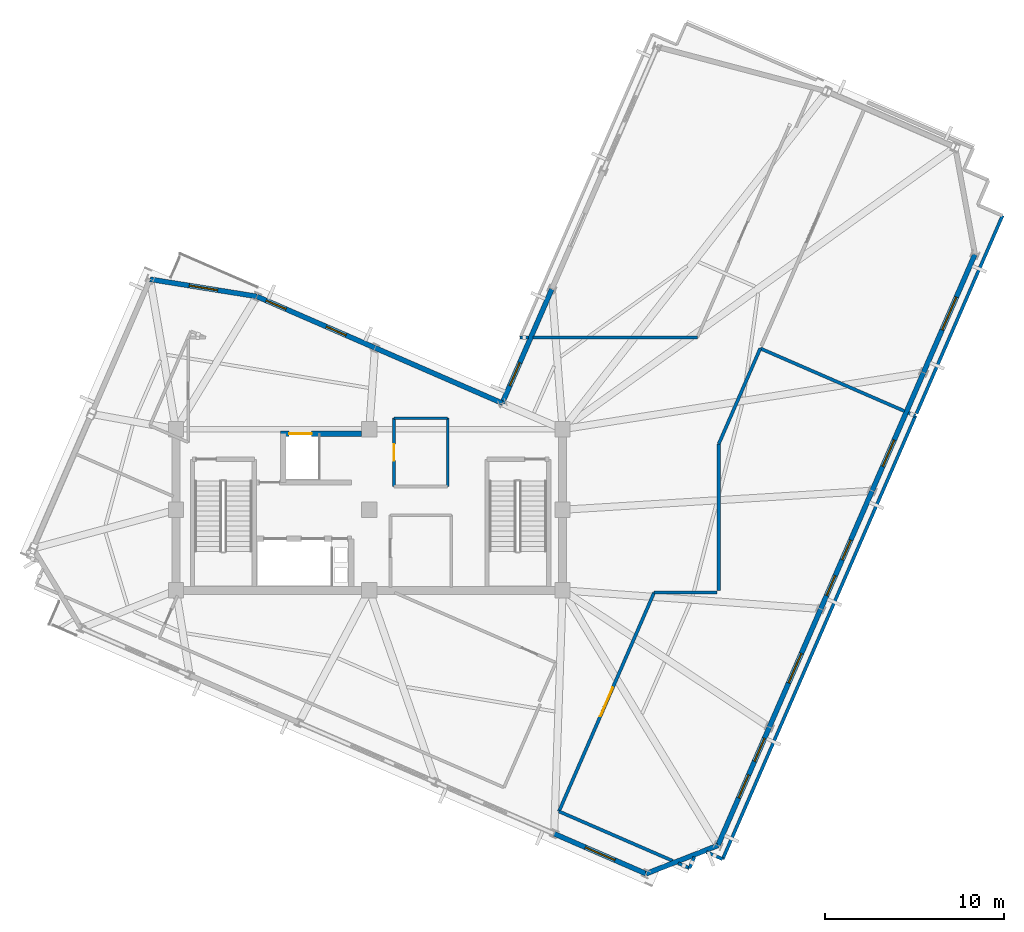
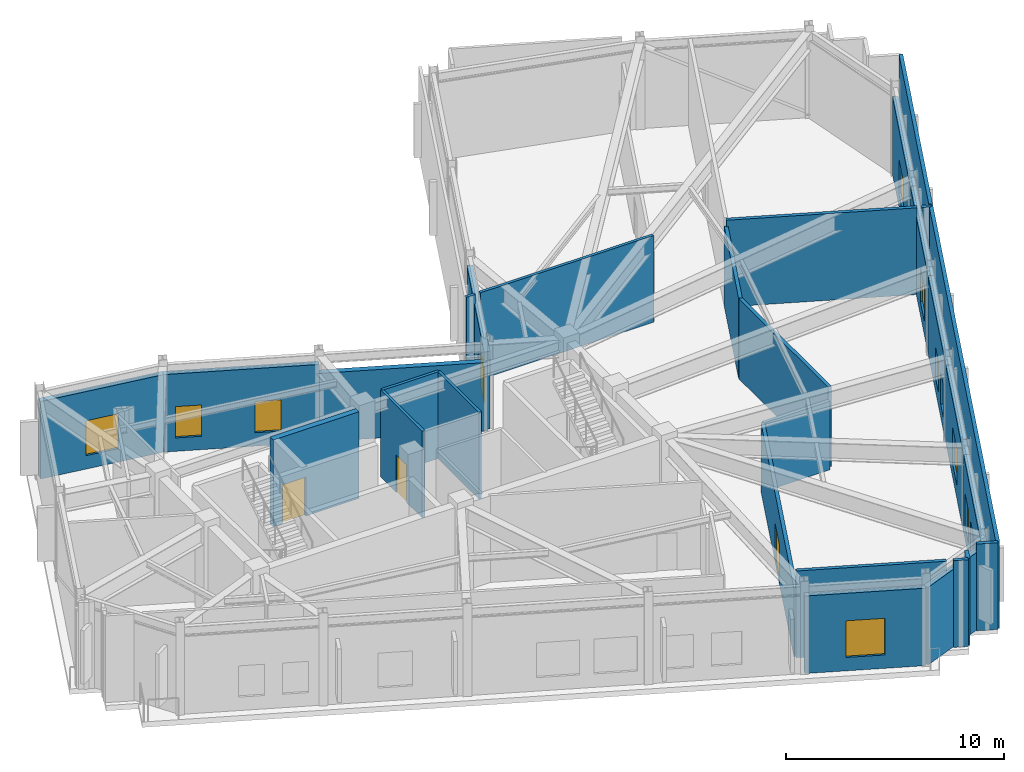
# One storey, part 7 of 12: 29 walls, 12 windows, 3 doors, 15 openings.
"""IFC4 building model written with IfcOpenShell, lengths in metres."""

from ifc_helpers import new_model, si_unit, direction, frame, frame_2d, origin, place, context, subcontext, project, spatial, rectangle, extrude, material, layer, layer_set, type_object, element, fill, save


model = new_model("IFC4")

# Units and contexts
model_context = context("Model", 3, precision=1e-05, world=origin(), true_north=direction((0.0, 1.0)))
body_context = subcontext(model_context, "Body", "Model", "MODEL_VIEW")
ifc_project = project(units=[si_unit("LENGTHUNIT", "METRE"), si_unit("AREAUNIT", "SQUARE_METRE"), si_unit("VOLUMEUNIT", "CUBIC_METRE"), si_unit("PLANEANGLEUNIT", "RADIAN"), si_unit("MASSUNIT", "GRAM", prefix="KILO")], contexts=[model_context])

# Site, building, storey
site_placement = place(None, origin())
site = spatial("IfcSite", under=ifc_project, at=site_placement, CompositionType="ELEMENT")
building_placement = place(site_placement, origin())
building = spatial("IfcBuilding", under=site, at=building_placement, Name="Gaonmaruhae Medical Tower", CompositionType="ELEMENT")
storey_placement = place(building_placement, frame((0.0, 0.0, 342.60009765625)))
storey = spatial("IfcBuildingStorey", under=building, at=storey_placement, Name="L82", CompositionType="ELEMENT", Elevation=342.60009765625)

# Wall, openings, windows
ifc_material_1 = material(Name="Precast concrete C45/55", Category="concrete")
ifc_layer_1 = layer(ifc_material_1, 0.280029296875)
ifc_layer_set_1 = layer_set([ifc_layer_1], Name="Precast concrete C45/55")
wall_type_1 = type_object("IfcWallType", Name="EW-280 Upper Precast Masonry-Frame Facade Wall", PredefinedType="SOLIDWALL", material=ifc_layer_set_1)
wall_1_placement = place(storey_placement, frame((47.14599609375, 0.154296875, 0.0), z_axis=(0.0, 0.0, 1.0), x_axis=(-0.398734790782, -0.917066282566, 0.0)))
wall_1 = element("IfcWall", 1, at=wall_1_placement, inside=storey, type_object=wall_type_1, Name="L82 Precast Masonry-Frame Wall S01-S02", PredefinedType="SOLIDWALL", context=body_context, shape_type="SweptSolid", body=[
    extrude(rectangle(XDim=7.199951171875, YDim=0.280029296875, at=frame_2d((3.60009765625, 0.0))), origin(), (0.0, 0.0, 1.0), 4.3349609375),
])
opening_1_placement = place(wall_1_placement, frame((2.89990234375, 0.0, 0.75)))
opening_1 = element("IfcOpeningElement", 2, at=opening_1_placement, cuts=wall_1, Name="Opening WN-03", PredefinedType="OPENING", context=body_context, shape_type="SweptSolid", body=[
    extrude(rectangle(XDim=1.39990234375, YDim=1.85009765625, at=frame_2d((0.699951171875, 0.925048828125))), frame((0.0, 0.14990234375, 0.0), z_axis=(0.0, -1.0, 0.0), x_axis=(1.0, 0.0, 0.0)), (0.0, 0.0, 1.0), 0.300048828125),
])
opening_2_placement = place(wall_1_placement, frame((0.677734375, 0.0, 0.75)))
opening_2 = element("IfcOpeningElement", 3, at=opening_2_placement, cuts=wall_1, Name="Opening WN-03", PredefinedType="OPENING", context=body_context, shape_type="SweptSolid", body=[
    extrude(rectangle(XDim=1.39990234375, YDim=1.85009765625, at=frame_2d((0.699951171875, 0.925048828125))), frame((0.0, 0.14990234375, 0.0), z_axis=(0.0, -1.0, 0.0), x_axis=(1.0, 0.0, 0.0)), (0.0, 0.0, 1.0), 0.300048828125),
])
ifc_material_2 = material(Name="Anodised aluminium and Low-E double glazing", Category="aluminium")
window_type_1 = type_object("IfcWindowType", Name="WN-03 Isolation Ward Punched Window 1400x1850", PartitioningType="SINGLE_PANEL", PredefinedType="WINDOW", material=ifc_material_2)
window_1_placement = place(opening_1_placement, origin())
window_1 = element("IfcWindow", 4, at=window_1_placement, inside=storey, type_object=window_type_1, Name="L82 Modular Facade Window S01", OverallHeight=1.85009765625, OverallWidth=1.39990234375, PartitioningType="SINGLE_PANEL", PredefinedType="WINDOW", context=body_context, shape_type="SweptSolid", body=[
    extrude(rectangle(XDim=1.39990234375, YDim=1.85009765625, at=frame_2d((0.699951171875, 0.925048828125))), frame((0.0, 0.030029296875, 0.0), z_axis=(0.0, -1.0, 0.0), x_axis=(1.0, 0.0, 0.0)), (0.0, 0.0, 1.0), 0.06005859375),
])
fill(opening_1, window_1)
window_2_placement = place(opening_2_placement, origin())
window_2 = element("IfcWindow", 5, at=window_2_placement, inside=storey, type_object=window_type_1, Name="L82 Modular Facade Window S01B", OverallHeight=1.85009765625, OverallWidth=1.39990234375, PartitioningType="SINGLE_PANEL", PredefinedType="WINDOW", context=body_context, shape_type="SweptSolid", body=[
    extrude(rectangle(XDim=1.39990234375, YDim=1.85009765625, at=frame_2d((0.699951171875, 0.925048828125))), frame((0.0, 0.030029296875, 0.0), z_axis=(0.0, -1.0, 0.0), x_axis=(1.0, 0.0, 0.0)), (0.0, 0.0, 1.0), 0.06005859375),
])
fill(opening_2, window_2)

# Wall, opening, window
wall_2_placement = place(storey_placement, frame((50.01708984375, 6.757080078125, 0.0), z_axis=(0.0, 0.0, 1.0), x_axis=(-0.398763307949, -0.91705388295, 0.0)))
wall_2 = element("IfcWall", 6, at=wall_2_placement, inside=storey, type_object=wall_type_1, Name="L82 Precast Masonry-Frame Wall S02-S03", PredefinedType="SOLIDWALL", context=body_context, shape_type="SweptSolid", body=[
    extrude(rectangle(XDim=7.199951171875, YDim=0.280029296875, at=frame_2d((3.60009765625, 0.0))), origin(), (0.0, 0.0, 1.0), 4.3349609375),
])
opening_3_placement = place(wall_2_placement, frame((2.699951171875, 0.0, 0.75)))
opening_3 = element("IfcOpeningElement", 7, at=opening_3_placement, cuts=wall_2, Name="Opening WN-04", PredefinedType="OPENING", context=body_context, shape_type="SweptSolid", body=[
    extrude(rectangle(XDim=1.800048828125, YDim=2.050048828125, at=frame_2d((0.89990234375, 1.02490234375))), frame((0.0, 0.14990234375, 0.0), z_axis=(0.0, -1.0, 0.0), x_axis=(1.0, 0.0, 0.0)), (0.0, 0.0, 1.0), 0.300048828125),
])
window_type_2 = type_object("IfcWindowType", Name="WN-04 Clinic & Consult Punched Window 1800x2050", PartitioningType="SINGLE_PANEL", PredefinedType="WINDOW", material=ifc_material_2)
window_3_placement = place(opening_3_placement, origin())
window_3 = element("IfcWindow", 8, at=window_3_placement, inside=storey, type_object=window_type_2, Name="L82 Modular Facade Window S02", OverallHeight=2.050048828125, OverallWidth=1.800048828125, PartitioningType="SINGLE_PANEL", PredefinedType="WINDOW", context=body_context, shape_type="SweptSolid", body=[
    extrude(rectangle(XDim=1.800048828125, YDim=2.050048828125, at=frame_2d((0.89990234375, 1.02490234375))), frame((0.0, 0.030029296875, 0.0), z_axis=(0.0, -1.0, 0.0), x_axis=(1.0, 0.0, 0.0)), (0.0, 0.0, 1.0), 0.06005859375),
])
fill(opening_3, window_3)

# Wall, openings, windows
wall_3_placement = place(storey_placement, frame((52.88818359375, 13.360107421875, 0.0), z_axis=(0.0, 0.0, 1.0), x_axis=(-0.398750908406, -0.917059274554, 0.0)))
wall_3 = element("IfcWall", 9, at=wall_3_placement, inside=storey, type_object=wall_type_1, Name="L82 Precast Masonry-Frame Wall S03-S04", PredefinedType="SOLIDWALL", context=body_context, shape_type="SweptSolid", body=[
    extrude(rectangle(XDim=7.2001953125, YDim=0.280029296875, at=frame_2d((3.60009765625, 0.0))), origin(), (0.0, 0.0, 1.0), 4.3349609375),
])
opening_4_placement = place(wall_3_placement, frame((3.0, 0.0, 0.75)))
opening_4 = element("IfcOpeningElement", 10, at=opening_4_placement, cuts=wall_3, Name="Opening WN-05", PredefinedType="OPENING", context=body_context, shape_type="SweptSolid", body=[
    extrude(rectangle(XDim=1.199951171875, YDim=1.75, at=frame_2d((0.60009765625, 0.875))), frame((0.0, 0.14990234375, 0.0), z_axis=(0.0, -1.0, 0.0), x_axis=(1.0, 0.0, 0.0)), (0.0, 0.0, 1.0), 0.300048828125),
])
opening_5_placement = place(wall_3_placement, frame((5.17236328125, 0.0, 0.75)))
opening_5 = element("IfcOpeningElement", 11, at=opening_5_placement, cuts=wall_3, Name="Opening WN-05", PredefinedType="OPENING", context=body_context, shape_type="SweptSolid", body=[
    extrude(rectangle(XDim=1.199951171875, YDim=1.75, at=frame_2d((0.60009765625, 0.875))), frame((0.0, 0.14990234375, 0.0), z_axis=(0.0, -1.0, 0.0), x_axis=(1.0, 0.0, 0.0)), (0.0, 0.0, 1.0), 0.300048828125),
])
window_type_3 = type_object("IfcWindowType", Name="WN-05 Support & Staff Punched Window 1200x1750", PartitioningType="SINGLE_PANEL", PredefinedType="WINDOW", material=ifc_material_2)
window_4_placement = place(opening_4_placement, origin())
window_4 = element("IfcWindow", 12, at=window_4_placement, inside=storey, type_object=window_type_3, Name="L82 Modular Facade Window S03", OverallHeight=1.75, OverallWidth=1.199951171875, PartitioningType="SINGLE_PANEL", PredefinedType="WINDOW", context=body_context, shape_type="SweptSolid", body=[
    extrude(rectangle(XDim=1.199951171875, YDim=1.75, at=frame_2d((0.60009765625, 0.875))), frame((0.0, 0.030029296875, 0.0), z_axis=(0.0, -1.0, 0.0), x_axis=(1.0, 0.0, 0.0)), (0.0, 0.0, 1.0), 0.06005859375),
])
fill(opening_4, window_4)
window_5_placement = place(opening_5_placement, origin())
window_5 = element("IfcWindow", 13, at=window_5_placement, inside=storey, type_object=window_type_3, Name="L82 Modular Facade Window S03B", OverallHeight=1.75, OverallWidth=1.199951171875, PartitioningType="SINGLE_PANEL", PredefinedType="WINDOW", context=body_context, shape_type="SweptSolid", body=[
    extrude(rectangle(XDim=1.199951171875, YDim=1.75, at=frame_2d((0.60009765625, 0.875))), frame((0.0, 0.030029296875, 0.0), z_axis=(0.0, -1.0, 0.0), x_axis=(1.0, 0.0, 0.0)), (0.0, 0.0, 1.0), 0.06005859375),
])
fill(opening_5, window_5)

# Wall, opening, window
wall_4_placement = place(storey_placement, frame((55.759033203125, 19.962890625, 0.0), z_axis=(0.0, 0.0, 1.0), x_axis=(-0.398734790782, -0.917066282566, 0.0)))
wall_4 = element("IfcWall", 14, at=wall_4_placement, inside=storey, type_object=wall_type_1, Name="L82 Precast Masonry-Frame Wall S04-S05", PredefinedType="SOLIDWALL", context=body_context, shape_type="SweptSolid", body=[
    extrude(rectangle(XDim=7.199951171875, YDim=0.280029296875, at=frame_2d((3.60009765625, 0.0))), origin(), (0.0, 0.0, 1.0), 4.3349609375),
])
opening_6_placement = place(wall_4_placement, frame((4.1123046875, 0.0, 0.75)))
opening_6 = element("IfcOpeningElement", 15, at=opening_6_placement, cuts=wall_4, Name="Opening WN-01", PredefinedType="OPENING", context=body_context, shape_type="SweptSolid", body=[
    extrude(rectangle(XDim=1.60009765625, YDim=1.949951171875, at=frame_2d((0.800048828125, 0.97509765625))), frame((0.0, 0.14990234375, 0.0), z_axis=(0.0, -1.0, 0.0), x_axis=(1.0, 0.0, 0.0)), (0.0, 0.0, 1.0), 0.300048828125),
])
window_type_4 = type_object("IfcWindowType", Name="WN-01 Ward Punched Acoustic Window 1600x1950", PartitioningType="SINGLE_PANEL", PredefinedType="WINDOW", material=ifc_material_2)
window_6_placement = place(opening_6_placement, origin())
window_6 = element("IfcWindow", 16, at=window_6_placement, inside=storey, type_object=window_type_4, Name="L82 Modular Facade Window S04", OverallHeight=1.949951171875, OverallWidth=1.60009765625, PartitioningType="SINGLE_PANEL", PredefinedType="WINDOW", context=body_context, shape_type="SweptSolid", body=[
    extrude(rectangle(XDim=1.60009765625, YDim=1.949951171875, at=frame_2d((0.800048828125, 0.97509765625))), frame((0.0, 0.030029296875, 0.0), z_axis=(0.0, -1.0, 0.0), x_axis=(1.0, 0.0, 0.0)), (0.0, 0.0, 1.0), 0.06005859375),
])
fill(opening_6, window_6)

wall_5_placement = place(storey_placement, frame((58.630126953125, 26.565673828125, 0.0), z_axis=(0.0, 0.0, 1.0), x_axis=(-0.398763307949, -0.91705388295, 0.0)))
wall_5 = element("IfcWall", 17, at=wall_5_placement, inside=storey, type_object=wall_type_1, Name="L82 Precast Masonry-Frame Wall S05-S06", PredefinedType="SOLIDWALL", context=body_context, shape_type="SweptSolid", body=[
    extrude(rectangle(XDim=7.199951171875, YDim=0.280029296875, at=frame_2d((3.60009765625, 0.0))), origin(), (0.0, 0.0, 1.0), 4.3349609375),
])
opening_7_placement = place(wall_5_placement, frame((2.60009765625, 0.0, 0.75)))
opening_7 = element("IfcOpeningElement", 18, at=opening_7_placement, cuts=wall_5, Name="Opening WN-02", PredefinedType="OPENING", context=body_context, shape_type="SweptSolid", body=[
    extrude(rectangle(XDim=2.0, YDim=1.949951171875, at=frame_2d((1.0, 0.97509765625))), frame((0.0, 0.14990234375, 0.0), z_axis=(0.0, -1.0, 0.0), x_axis=(1.0, 0.0, 0.0)), (0.0, 0.0, 1.0), 0.300048828125),
])
window_type_5 = type_object("IfcWindowType", Name="WN-02 Double-Bed Ward Punched Window 2000x1950", PartitioningType="SINGLE_PANEL", PredefinedType="WINDOW", material=ifc_material_2)
window_7_placement = place(opening_7_placement, origin())
window_7 = element("IfcWindow", 19, at=window_7_placement, inside=storey, type_object=window_type_5, Name="L82 Modular Facade Window S05", OverallHeight=1.949951171875, OverallWidth=2.0, PartitioningType="SINGLE_PANEL", PredefinedType="WINDOW", context=body_context, shape_type="SweptSolid", body=[
    extrude(rectangle(XDim=2.0, YDim=1.949951171875, at=frame_2d((1.0, 0.97509765625))), frame((0.0, 0.030029296875, 0.0), z_axis=(0.0, -1.0, 0.0), x_axis=(1.0, 0.0, 0.0)), (0.0, 0.0, 1.0), 0.06005859375),
])
fill(opening_7, window_7)

wall_6_placement = place(storey_placement, frame((32.226318359375, 18.2548828125, 0.0), z_axis=(0.0, 0.0, 1.0), x_axis=(0.398742809918, 0.917062795853, 0.0)))
wall_6 = element("IfcWall", 20, at=wall_6_placement, inside=storey, type_object=wall_type_1, Name="L82 Precast Masonry-Frame Wall EN02-KN01", PredefinedType="SOLIDWALL", context=body_context, shape_type="SweptSolid", body=[
    extrude(rectangle(XDim=6.949951171875, YDim=0.280029296875, at=frame_2d((3.47509765625, 0.0))), origin(), (0.0, 0.0, 1.0), 4.3349609375),
])
opening_8_placement = place(wall_6_placement, frame((1.06640625, 0.0, 0.75)))
opening_8 = element("IfcOpeningElement", 21, at=opening_8_placement, cuts=wall_6, Name="Opening WN-03", PredefinedType="OPENING", context=body_context, shape_type="SweptSolid", body=[
    extrude(rectangle(XDim=1.39990234375, YDim=1.85009765625, at=frame_2d((0.699951171875, 0.925048828125))), frame((0.0, 0.14990234375, 0.0), z_axis=(0.0, -1.0, 0.0), x_axis=(1.0, 0.0, 0.0)), (0.0, 0.0, 1.0), 0.300048828125),
])
window_8_placement = place(opening_8_placement, origin())
window_8 = element("IfcWindow", 22, at=window_8_placement, inside=storey, type_object=window_type_1, Name="L82 Modular Facade Window EN02", OverallHeight=1.85009765625, OverallWidth=1.39990234375, PartitioningType="SINGLE_PANEL", PredefinedType="WINDOW", context=body_context, shape_type="SweptSolid", body=[
    extrude(rectangle(XDim=1.39990234375, YDim=1.85009765625, at=frame_2d((0.699951171875, 0.925048828125))), frame((0.0, 0.030029296875, 0.0), z_axis=(0.0, -1.0, 0.0), x_axis=(1.0, 0.0, 0.0)), (0.0, 0.0, 1.0), 0.06005859375),
])
fill(opening_8, window_8)

# Wall
wall_7_placement = place(storey_placement, frame((25.118896484375, 21.34521484375, 0.0), z_axis=(0.0, 0.0, 1.0), x_axis=(0.917063044715, -0.398742237565, 0.0)))
element("IfcWall", 23, at=wall_7_placement, inside=storey, type_object=wall_type_1, Name="L82 Precast Masonry-Frame Wall KN01-NE01", PredefinedType="SOLIDWALL", context=body_context, shape_type="SweptSolid", body=[
    extrude(rectangle(XDim=7.750244140625, YDim=0.280029296875, at=frame_2d((3.875, 0.0))), origin(), (0.0, 0.0, 1.0), 3.8349609375),
])

# Wall, openings, windows
wall_8_placement = place(storey_placement, frame((18.51611328125, 24.21630859375, 0.0), z_axis=(0.0, 0.0, 1.0), x_axis=(0.91705388295, -0.398763307949, 0.0)))
wall_8 = element("IfcWall", 24, at=wall_8_placement, inside=storey, type_object=wall_type_1, Name="L82 Precast Masonry-Frame Wall NE01-NE02", PredefinedType="SOLIDWALL", context=body_context, shape_type="SweptSolid", body=[
    extrude(rectangle(XDim=7.199951171875, YDim=0.280029296875, at=frame_2d((3.60009765625, 0.0))), origin(), (0.0, 0.0, 1.0), 4.3349609375),
])
opening_9_placement = place(wall_8_placement, frame((4.238037109375, 0.0, 0.75)))
opening_9 = element("IfcOpeningElement", 25, at=opening_9_placement, cuts=wall_8, Name="Opening WN-05", PredefinedType="OPENING", context=body_context, shape_type="SweptSolid", body=[
    extrude(rectangle(XDim=1.199951171875, YDim=1.75, at=frame_2d((0.60009765625, 0.875))), frame((0.0, 0.14990234375, 0.0), z_axis=(0.0, -1.0, 0.0), x_axis=(1.0, 0.0, 0.0)), (0.0, 0.0, 1.0), 0.300048828125),
])
opening_10_placement = place(wall_8_placement, frame((0.57763671875, 0.0, 0.75)))
opening_10 = element("IfcOpeningElement", 26, at=opening_10_placement, cuts=wall_8, Name="Opening WN-05", PredefinedType="OPENING", context=body_context, shape_type="SweptSolid", body=[
    extrude(rectangle(XDim=1.199951171875, YDim=1.75, at=frame_2d((0.60009765625, 0.875))), frame((0.0, 0.14990234375, 0.0), z_axis=(0.0, -1.0, 0.0), x_axis=(1.0, 0.0, 0.0)), (0.0, 0.0, 1.0), 0.300048828125),
])
window_9_placement = place(opening_9_placement, origin())
window_9 = element("IfcWindow", 27, at=window_9_placement, inside=storey, type_object=window_type_3, Name="L82 Modular Facade Window NE01", OverallHeight=1.75, OverallWidth=1.199951171875, PartitioningType="SINGLE_PANEL", PredefinedType="WINDOW", context=body_context, shape_type="SweptSolid", body=[
    extrude(rectangle(XDim=1.199951171875, YDim=1.75, at=frame_2d((0.60009765625, 0.875))), frame((0.0, 0.030029296875, 0.0), z_axis=(0.0, -1.0, 0.0), x_axis=(1.0, 0.0, 0.0)), (0.0, 0.0, 1.0), 0.06005859375),
])
fill(opening_9, window_9)
window_10_placement = place(opening_10_placement, origin())
window_10 = element("IfcWindow", 28, at=window_10_placement, inside=storey, type_object=window_type_3, Name="L82 Modular Facade Window NE01B", OverallHeight=1.75, OverallWidth=1.199951171875, PartitioningType="SINGLE_PANEL", PredefinedType="WINDOW", context=body_context, shape_type="SweptSolid", body=[
    extrude(rectangle(XDim=1.199951171875, YDim=1.75, at=frame_2d((0.60009765625, 0.875))), frame((0.0, 0.030029296875, 0.0), z_axis=(0.0, -1.0, 0.0), x_axis=(1.0, 0.0, 0.0)), (0.0, 0.0, 1.0), 0.06005859375),
])
fill(opening_10, window_10)

# Wall, opening, window
wall_9_placement = place(storey_placement, frame((12.55322265625, 25.17333984375, 0.0), z_axis=(0.0, 0.0, 1.0), x_axis=(0.987363826076, -0.158469791935, 0.0)))
wall_9 = element("IfcWall", 29, at=wall_9_placement, inside=storey, type_object=wall_type_1, Name="L82 Precast Masonry-Frame Wall NE02-N01", PredefinedType="SOLIDWALL", context=body_context, shape_type="SweptSolid", body=[
    extrude(rectangle(XDim=6.039306640625, YDim=0.280029296875, at=frame_2d((3.01953125, 0.0))), origin(), (0.0, 0.0, 1.0), 4.3349609375),
])
opening_11_placement = place(wall_9_placement, frame((2.219482421875, 0.0, 0.75)))
opening_11 = element("IfcOpeningElement", 30, at=opening_11_placement, cuts=wall_9, Name="Opening WN-01", PredefinedType="OPENING", context=body_context, shape_type="SweptSolid", body=[
    extrude(rectangle(XDim=1.60009765625, YDim=1.949951171875, at=frame_2d((0.800048828125, 0.97509765625))), frame((0.0, 0.14990234375, 0.0), z_axis=(0.0, -1.0, 0.0), x_axis=(1.0, 0.0, 0.0)), (0.0, 0.0, 1.0), 0.300048828125),
])
window_11_placement = place(opening_11_placement, origin())
window_11 = element("IfcWindow", 31, at=window_11_placement, inside=storey, type_object=window_type_4, Name="L82 Modular Facade Window NE02", OverallHeight=1.949951171875, OverallWidth=1.60009765625, PartitioningType="SINGLE_PANEL", PredefinedType="WINDOW", context=body_context, shape_type="SweptSolid", body=[
    extrude(rectangle(XDim=1.60009765625, YDim=1.949951171875, at=frame_2d((0.800048828125, 0.97509765625))), frame((0.0, 0.030029296875, 0.0), z_axis=(0.0, -1.0, 0.0), x_axis=(1.0, 0.0, 0.0)), (0.0, 0.0, 1.0), 0.06005859375),
])
fill(opening_11, window_11)

wall_10_placement = place(storey_placement, frame((40.261962890625, -8.029296875, 0.0), z_axis=(0.0, 0.0, 1.0), x_axis=(-0.917064511226, 0.398738864734, 0.0)))
wall_10 = element("IfcWall", 32, at=wall_10_placement, inside=storey, type_object=wall_type_1, Name="L82 Precast Masonry-Frame Wall W05-W06", PredefinedType="SOLIDWALL", context=body_context, shape_type="SweptSolid", body=[
    extrude(rectangle(XDim=5.599853515625, YDim=0.280029296875, at=frame_2d((2.7998046875, 0.0))), origin(), (0.0, 0.0, 1.0), 4.3349609375),
])
opening_12_placement = place(wall_10_placement, frame((1.89990234375, 0.0, 0.75)))
opening_12 = element("IfcOpeningElement", 33, at=opening_12_placement, cuts=wall_10, Name="Opening WN-04", PredefinedType="OPENING", context=body_context, shape_type="SweptSolid", body=[
    extrude(rectangle(XDim=1.800048828125, YDim=2.050048828125, at=frame_2d((0.89990234375, 1.02490234375))), frame((0.0, 0.14990234375, 0.0), z_axis=(0.0, -1.0, 0.0), x_axis=(1.0, 0.0, 0.0)), (0.0, 0.0, 1.0), 0.300048828125),
])
window_12_placement = place(opening_12_placement, origin())
window_12 = element("IfcWindow", 34, at=window_12_placement, inside=storey, type_object=window_type_2, Name="L82 Modular Facade Window W05", OverallHeight=2.050048828125, OverallWidth=1.800048828125, PartitioningType="SINGLE_PANEL", PredefinedType="WINDOW", context=body_context, shape_type="SweptSolid", body=[
    extrude(rectangle(XDim=1.800048828125, YDim=2.050048828125, at=frame_2d((0.89990234375, 1.02490234375))), frame((0.0, 0.030029296875, 0.0), z_axis=(0.0, -1.0, 0.0), x_axis=(1.0, 0.0, 0.0)), (0.0, 0.0, 1.0), 0.06005859375),
])
fill(opening_12, window_12)

# Wall
wall_11_placement = place(storey_placement, frame((44.275146484375, -6.448486328125, 0.0), z_axis=(0.0, 0.0, 1.0), x_axis=(-0.930419505769, -0.366496307328, 0.0)))
element("IfcWall", 35, at=wall_11_placement, inside=storey, type_object=wall_type_1, Name="L82 Precast Masonry-Frame Wall W06-S01", PredefinedType="SOLIDWALL", context=body_context, shape_type="SweptSolid", body=[
    extrude(rectangle(XDim=4.313232421875, YDim=0.280029296875, at=frame_2d((2.15673828125, 0.0))), origin(), (0.0, 0.0, 1.0), 4.3349609375),
])

# Wall, opening, door
ifc_material_3 = material(Name="Gypsum board partition", Category="gypsum")
ifc_layer_2 = layer(ifc_material_3, 0.14990234375)
ifc_layer_set_2 = layer_set([ifc_layer_2], Name="Gypsum board partition")
wall_type_2 = type_object("IfcWallType", Name="PW-150 Rated Clinical Corridor Partition", PredefinedType="PARTITIONING", material=ifc_layer_set_2)
wall_12_placement = place(storey_placement, frame((26.179931640625, 13.60009765625, 0.0), z_axis=(0.0, 0.0, 1.0), x_axis=(0.0, 1.0, 0.0)))
wall_12 = element("IfcWall", 36, at=wall_12_placement, inside=storey, type_object=wall_type_2, Name="L82 Interior Partition L82-RCL2-4", PredefinedType="PARTITIONING", context=body_context, shape_type="SweptSolid", body=[
    extrude(rectangle(XDim=3.81982421875, YDim=0.14990234375, at=frame_2d((1.909912109375, 0.0))), origin(), (0.0, 0.0, 1.0), 4.849853515625),
])
opening_13_placement = place(wall_12_placement, frame((1.449951171875, 0.0, 0.0)))
opening_13 = element("IfcOpeningElement", 37, at=opening_13_placement, cuts=wall_12, Name="Opening UD-01", PredefinedType="OPENING", context=body_context, shape_type="SweptSolid", body=[
    extrude(rectangle(XDim=0.919921875, YDim=2.10009765625, at=frame_2d((0.4599609375, 1.050048828125))), frame((0.0, 0.0849609375, 0.0), z_axis=(0.0, -1.0, 0.0), x_axis=(1.0, 0.0, 0.0)), (0.0, 0.0, 1.0), 0.169921875),
])
ifc_material_4 = material(Name="Powder-coated steel utility door", Category="steel")
door_type_1 = type_object("IfcDoorType", Name="UD-01 Toilet, Utility & Housekeeping Door 920x2100", OperationType="NOTDEFINED", PredefinedType="DOOR", material=ifc_material_4)
door_1_placement = place(opening_13_placement, origin())
door_1 = element("IfcDoor", 38, at=door_1_placement, inside=storey, type_object=door_type_1, Name="L82 Accessible Staff Toilet Door", OperationType="SINGLE_SWING_LEFT", OverallHeight=2.10009765625, OverallWidth=0.919921875, PredefinedType="DOOR", context=body_context, shape_type="SweptSolid", body=[
    extrude(rectangle(XDim=0.919921875, YDim=2.10009765625, at=frame_2d((0.4599609375, 1.050048828125))), frame((0.0, 0.02490234375, 0.0), z_axis=(0.0, -1.0, 0.0), x_axis=(1.0, 0.0, 0.0)), (0.0, 0.0, 1.0), 0.050048828125),
])
fill(opening_13, door_1)

# Walls
wall_13_placement = place(storey_placement, frame((26.179931640625, 17.419921875, 0.0), z_axis=(0.0, 0.0, 1.0), x_axis=(1.0, 0.0, 0.0)))
element("IfcWall", 39, at=wall_13_placement, inside=storey, type_object=wall_type_2, Name="L82 Interior Partition L82-RCL2-5", PredefinedType="PARTITIONING", context=body_context, shape_type="SweptSolid", body=[
    extrude(rectangle(XDim=3.0, YDim=0.14990234375, at=frame_2d((1.5, 0.0))), origin(), (0.0, 0.0, 1.0), 4.849853515625),
])
wall_14_placement = place(storey_placement, frame((29.179931640625, 17.419921875, 0.0), z_axis=(0.0, 0.0, 1.0), x_axis=(0.0, -1.0, 0.0)))
element("IfcWall", 40, at=wall_14_placement, inside=storey, type_object=wall_type_2, Name="L82 Interior Partition L82-RCL2-6", PredefinedType="PARTITIONING", context=body_context, shape_type="SweptSolid", body=[
    extrude(rectangle(XDim=3.81982421875, YDim=0.14990234375, at=frame_2d((1.909912109375, 0.0))), origin(), (0.0, 0.0, 1.0), 4.849853515625),
])
wall_15_placement = place(storey_placement, frame((43.12109375, 21.919921875, 0.0), z_axis=(0.0, 0.0, 1.0), x_axis=(-1.0, 0.0, 0.0)))
element("IfcWall", 41, at=wall_15_placement, inside=storey, type_object=wall_type_2, Name="L82 Interior Partition L82-WAIT-27", PredefinedType="PARTITIONING", context=body_context, shape_type="SweptSolid", body=[
    extrude(rectangle(XDim=9.176025390625, YDim=0.14990234375, at=frame_2d((4.587890625, 0.0))), origin(), (0.0, 0.0, 1.0), 4.849853515625),
])
wall_16_placement = place(storey_placement, frame((33.694091796875, 21.919921875, 0.0), z_axis=(0.0, 0.0, 1.0), x_axis=(-1.0, 0.0, 0.0)))
element("IfcWall", 42, at=wall_16_placement, inside=storey, type_object=wall_type_2, Name="L82 Interior Partition L82-WAIT-28", PredefinedType="PARTITIONING", context=body_context, shape_type="SweptSolid", body=[
    extrude(rectangle(XDim=0.47412109375, YDim=0.14990234375, at=frame_2d((0.237060546875, 0.0))), origin(), (0.0, 0.0, 1.0), 4.849853515625),
])
ifc_layer_3 = layer(ifc_material_3, 0.179931640625)
ifc_layer_set_3 = layer_set([ifc_layer_3], Name="Gypsum board partition")
wall_type_3 = type_object("IfcWallType", Name="PW-180 Refuge & Plant Acoustic Fire Partition", PredefinedType="PARTITIONING", material=ifc_layer_set_3)
wall_17_placement = place(storey_placement, frame((44.320068359375, 7.800048828125, 0.0), z_axis=(0.0, 0.0, 1.0), x_axis=(0.0, 1.0, 0.0)))
element("IfcWall", 43, at=wall_17_placement, inside=storey, type_object=wall_type_3, Name="L82 Interior Partition L82-LMR-8", PredefinedType="PARTITIONING", context=body_context, shape_type="SweptSolid", body=[
    extrude(rectangle(XDim=8.175048828125, YDim=0.179931640625, at=frame_2d((4.08740234375, 0.0))), origin(), (0.0, 0.0, 1.0), 4.48486328125),
])
wall_18_placement = place(storey_placement, frame((44.320068359375, 15.97509765625, 0.0), z_axis=(0.0, 0.0, 1.0), x_axis=(0.398704630949, 0.917079395287, 0.0)))
element("IfcWall", 44, at=wall_18_placement, inside=storey, type_object=wall_type_3, Name="L82 Interior Partition L82-LMR-9", PredefinedType="PARTITIONING", context=body_context, shape_type="SweptSolid", body=[
    extrude(rectangle(XDim=5.818359375, YDim=0.179931640625, at=frame_2d((2.9091796875, 0.0))), origin(), (0.0, 0.0, 1.0), 4.48486328125),
])
wall_19_placement = place(storey_placement, frame((46.639892578125, 21.31103515625, 0.0), z_axis=(0.0, 0.0, 1.0), x_axis=(0.917077124734, -0.398709853514, 0.0)))
element("IfcWall", 45, at=wall_19_placement, inside=storey, type_object=wall_type_3, Name="L82 Interior Partition L82-LMR-10", PredefinedType="PARTITIONING", context=body_context, shape_type="SweptSolid", body=[
    extrude(rectangle(XDim=8.78564453125, YDim=0.179931640625, at=frame_2d((4.392822265625, 0.0))), origin(), (0.0, 0.0, 1.0), 4.849853515625),
])
wall_20_placement = place(storey_placement, frame((54.907958984375, 17.716064453125, 0.0), z_axis=(0.0, 0.0, 1.0), x_axis=(0.917007436542, -0.398870105833, 0.0)))
element("IfcWall", 46, at=wall_20_placement, inside=storey, type_object=wall_type_3, Name="L82 Interior Partition L82-LMR-11", PredefinedType="PARTITIONING", context=body_context, shape_type="SweptSolid", body=[
    extrude(rectangle(XDim=0.43408203125, YDim=0.179931640625, at=frame_2d((0.217041015625, 0.0))), origin(), (0.0, 0.0, 1.0), 4.849853515625),
])
wall_21_placement = place(storey_placement, frame((55.305908203125, 17.54296875, 0.0), z_axis=(0.0, 0.0, 1.0), x_axis=(-0.398733054763, -0.917067037375, 0.0)))
element("IfcWall", 47, at=wall_21_placement, inside=storey, type_object=wall_type_3, Name="L82 Interior Partition L82-LMR-12", PredefinedType="PARTITIONING", context=body_context, shape_type="SweptSolid", body=[
    extrude(rectangle(XDim=27.000244140625, YDim=0.179931640625, at=frame_2d((13.5, 0.0))), origin(), (0.0, 0.0, 1.0), 4.849853515625),
])
wall_22_placement = place(storey_placement, frame((44.5400390625, -7.218017578125, 0.0), z_axis=(0.0, 0.0, 1.0), x_axis=(-0.916865462782, 0.399196346623, 0.0)))
element("IfcWall", 48, at=wall_22_placement, inside=storey, type_object=wall_type_3, Name="L82 Interior Partition L82-LMR-13", PredefinedType="PARTITIONING", context=body_context, shape_type="SweptSolid", body=[
    extrude(rectangle(XDim=0.987060546875, YDim=0.179931640625, at=frame_2d((0.49365234375, 0.0))), origin(), (0.0, 0.0, 1.0), 4.849853515625),
])
wall_23_placement = place(storey_placement, frame((42.9599609375, -7.090087890625, 0.0), z_axis=(0.0, 0.0, 1.0), x_axis=(-0.39880409212, -0.917036147656, 0.0)))
element("IfcWall", 49, at=wall_23_placement, inside=storey, type_object=wall_type_3, Name="L82 Interior Partition L82-LMR-14", PredefinedType="PARTITIONING", context=body_context, shape_type="SweptSolid", body=[
    extrude(rectangle(XDim=0.686767578125, YDim=0.179931640625, at=frame_2d((0.34326171875, 0.0))), origin(), (0.0, 0.0, 1.0), 4.849853515625),
])
wall_24_placement = place(storey_placement, frame((42.68603515625, -7.719970703125, 0.0), z_axis=(0.0, 0.0, 1.0), x_axis=(-0.917092650936, 0.398674139617, 0.0)))
element("IfcWall", 50, at=wall_24_placement, inside=storey, type_object=wall_type_3, Name="L82 Interior Partition L82-LMR-15", PredefinedType="PARTITIONING", context=body_context, shape_type="SweptSolid", body=[
    extrude(rectangle(XDim=0.68701171875, YDim=0.179931640625, at=frame_2d((0.343505859375, 0.0))), origin(), (0.0, 0.0, 1.0), 4.849853515625),
])
wall_25_placement = place(storey_placement, frame((41.758056640625, -7.31591796875, 0.0), z_axis=(0.0, 0.0, 1.0), x_axis=(-0.917082924279, 0.398696513648, 0.0)))
element("IfcWall", 51, at=wall_25_placement, inside=storey, type_object=wall_type_3, Name="L82 Interior Partition L82-LMR-16", PredefinedType="PARTITIONING", context=body_context, shape_type="SweptSolid", body=[
    extrude(rectangle(XDim=6.937255859375, YDim=0.179931640625, at=frame_2d((3.46875, 0.0))), origin(), (0.0, 0.0, 1.0), 4.849853515625),
])

# Wall, opening, door
wall_26_placement = place(storey_placement, frame((35.39599609375, -4.550048828125, 0.0), z_axis=(0.0, 0.0, 1.0), x_axis=(0.398695317753, 0.917083444187, 0.0)))
wall_26 = element("IfcWall", 52, at=wall_26_placement, inside=storey, type_object=wall_type_3, Name="L82 Interior Partition L82-LMR-17", PredefinedType="PARTITIONING", context=body_context, shape_type="SweptSolid", body=[
    extrude(rectangle(XDim=13.335693359375, YDim=0.179931640625, at=frame_2d((6.66796875, 0.0))), origin(), (0.0, 0.0, 1.0), 3.8349609375),
])
opening_14_placement = place(wall_26_placement, frame((5.79296875, 0.0, 0.0)))
opening_14 = element("IfcOpeningElement", 53, at=opening_14_placement, cuts=wall_26, Name="Opening PD-01", PredefinedType="OPENING", context=body_context, shape_type="SweptSolid", body=[
    extrude(rectangle(XDim=1.75, YDim=2.199951171875, at=frame_2d((0.875, 1.10009765625))), frame((0.0, 0.10009765625, 0.0), z_axis=(0.0, -1.0, 0.0), x_axis=(1.0, 0.0, 0.0)), (0.0, 0.0, 1.0), 0.199951171875),
])
ifc_material_5 = material(Name="Acoustic galvanised steel plant door", Category="steel")
door_type_2 = type_object("IfcDoorType", Name="PD-01 Mechanical Plant Double Equipment Door 1750x2200", OperationType="NOTDEFINED", PredefinedType="DOOR", material=ifc_material_5)
door_2_placement = place(opening_14_placement, origin())
door_2 = element("IfcDoor", 54, at=door_2_placement, inside=storey, type_object=door_type_2, Name="L82 High-Rise Traction Lift Machine Room Door", OperationType="DOUBLE_DOOR_SINGLE_SWING", OverallHeight=2.199951171875, OverallWidth=1.75, PredefinedType="DOOR", context=body_context, shape_type="SweptSolid", body=[
    extrude(rectangle(XDim=1.75, YDim=2.199951171875, at=frame_2d((0.875, 1.10009765625))), frame((0.0, 0.02490234375, 0.0), z_axis=(0.0, -1.0, 0.0), x_axis=(1.0, 0.0, 0.0)), (0.0, 0.0, 1.0), 0.050048828125),
])
fill(opening_14, door_2)

# Walls
wall_27_placement = place(storey_placement, frame((40.712890625, 7.679931640625, 0.0), z_axis=(0.0, 0.0, 1.0), x_axis=(0.999999961053, 0.000279095719, 0.0)))
element("IfcWall", 55, at=wall_27_placement, inside=storey, type_object=wall_type_3, Name="L82 Interior Partition L82-LMR-18", PredefinedType="PARTITIONING", context=body_context, shape_type="SweptSolid", body=[
    extrude(rectangle(XDim=3.4990234375, YDim=0.179931640625, at=frame_2d((1.74951171875, 0.0))), origin(), (0.0, 0.0, 1.0), 3.8349609375),
])
wall_28_placement = place(storey_placement, frame((60.1708984375, 28.73095703125, 0.0), z_axis=(0.0, 0.0, 1.0), x_axis=(-0.398735742108, -0.917065868935, 0.0)))
element("IfcWall", 56, at=wall_28_placement, inside=storey, type_object=wall_type_3, Name="L82 Interior Partition L82-FOAM-21", PredefinedType="PARTITIONING", context=body_context, shape_type="SweptSolid", body=[
    extrude(rectangle(XDim=12.050537109375, YDim=0.179931640625, at=frame_2d((6.025390625, 0.0))), origin(), (0.0, 0.0, 1.0), 4.849853515625),
])

# Wall, opening, door
ifc_material_6 = material(Name="Concrete C50/60", Category="concrete")
ifc_layer_4 = layer(ifc_material_6, 0.300048828125)
ifc_layer_set_4 = layer_set([ifc_layer_4], Name="Concrete C50/60")
wall_type_4 = type_object("IfcWallType", Name="SW-300 Stair & Lift Hoistway Shaft Wall", PredefinedType="SOLIDWALL", material=ifc_layer_set_4)
wall_29_placement = place(storey_placement, frame((19.85009765625, 16.550048828125, 0.0), z_axis=(0.0, 0.0, 1.0), x_axis=(1.0, 0.0, 0.0)))
wall_29 = element("IfcWall", 57, at=wall_29_placement, inside=storey, type_object=wall_type_4, Name="L82 Core Shear Wall CSW-NB", PredefinedType="SOLIDWALL", context=body_context, shape_type="SweptSolid", body=[
    extrude(rectangle(XDim=4.52490234375, YDim=0.300048828125, at=frame_2d((2.262451171875, 0.0))), origin(), (0.0, 0.0, 1.0), 4.849853515625),
])
opening_15_placement = place(wall_29_placement, frame((0.47509765625, 0.0, 0.0)))
opening_15 = element("IfcOpeningElement", 58, at=opening_15_placement, cuts=wall_29, Name="Opening LD-F1", PredefinedType="OPENING", context=body_context, shape_type="SweptSolid", body=[
    extrude(rectangle(XDim=1.25, YDim=2.179931640625, at=frame_2d((0.625, 1.08984375))), frame((0.0, 0.16015625, 0.0), z_axis=(0.0, -1.0, 0.0), x_axis=(1.0, 0.0, 0.0)), (0.0, 0.0, 1.0), 0.320068359375),
])
ifc_material_7 = material(Name="Brushed stainless steel 316L landing door", Category="steel")
door_type_3 = type_object("IfcDoorType", Name="LD-F1 Firefighting & Bed Lift Sliding Landing Door 1250x2180", OperationType="NOTDEFINED", PredefinedType="DOOR", material=ifc_material_7)
door_3_placement = place(opening_15_placement, origin())
door_3 = element("IfcDoor", 59, at=door_3_placement, inside=storey, type_object=door_type_3, Name="L82 Service/Bed Lift Landing Door BDL-01", OperationType="DOUBLE_DOOR_SLIDING", OverallHeight=2.179931640625, OverallWidth=1.25, PredefinedType="DOOR", context=body_context, shape_type="SweptSolid", body=[
    extrude(rectangle(XDim=1.25, YDim=2.179931640625, at=frame_2d((0.625, 1.08984375))), frame((0.0, 0.02490234375, 0.0), z_axis=(0.0, -1.0, 0.0), x_axis=(1.0, 0.0, 0.0)), (0.0, 0.0, 1.0), 0.050048828125),
])
fill(opening_15, door_3)

save(model, "model.ifc")
